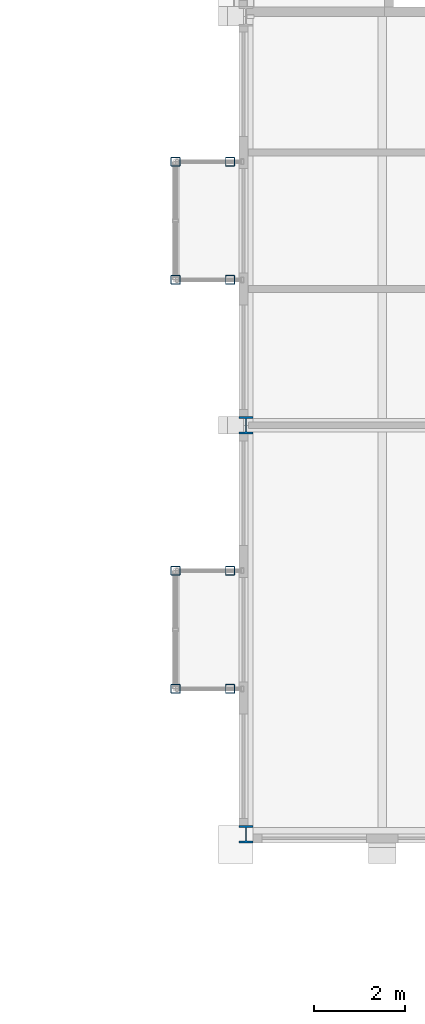
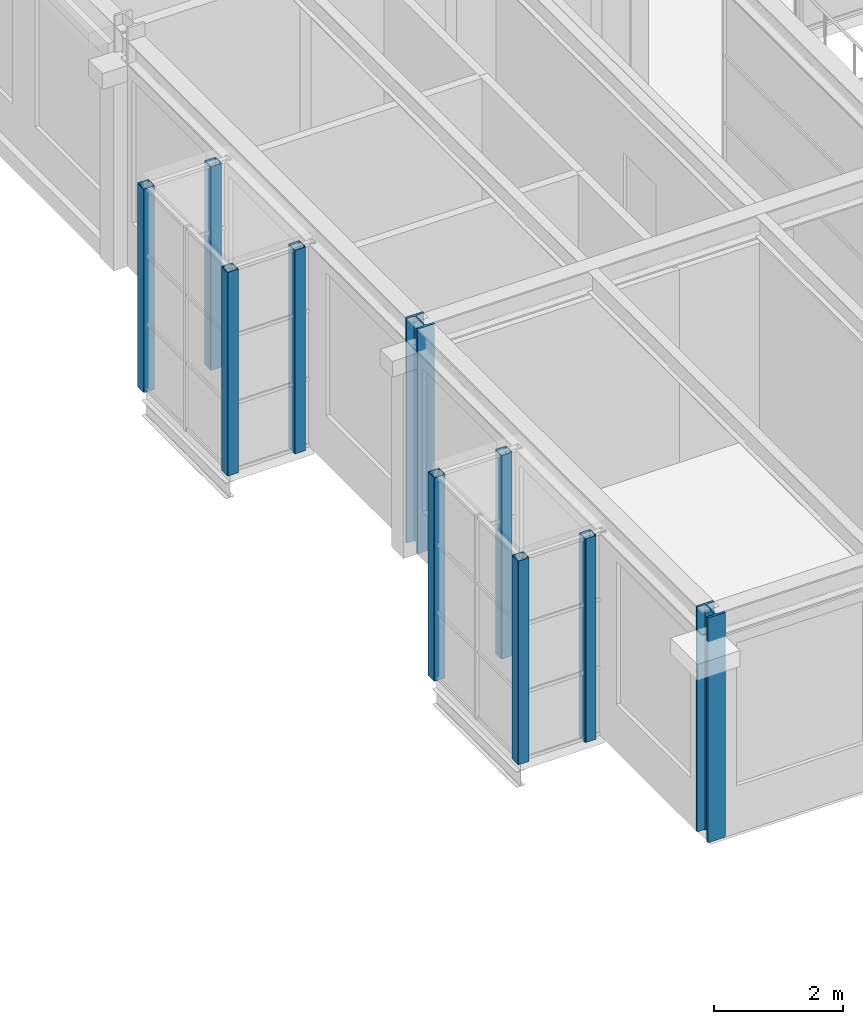
# One storey, part 2 of 111: 10 columns.
"""IFC4 building model written with IfcOpenShell, lengths in metres."""

from ifc_helpers import new_model, si_unit, direction, frame, origin, origin_2d, place, context, subcontext, project, spatial, hollow_rectangle, i_section, extrude, material, material_profile, profile_set, type_object, element, save


model = new_model("IFC4")

# Units and contexts
model_context = context("Model", 3, precision=1e-05, world=origin(), true_north=direction((0.0, 1.0)))
body_context = subcontext(model_context, "Body", "Model", "MODEL_VIEW")
ifc_project = project(units=[si_unit("LENGTHUNIT", "METRE"), si_unit("AREAUNIT", "SQUARE_METRE"), si_unit("VOLUMEUNIT", "CUBIC_METRE"), si_unit("PLANEANGLEUNIT", "RADIAN"), si_unit("MASSUNIT", "GRAM", prefix="KILO")], contexts=[model_context])

# Site, building, storey
site_placement = place(None, origin())
site = spatial("IfcSite", under=ifc_project, at=site_placement, CompositionType="ELEMENT")
building_placement = place(site_placement, origin())
building = spatial("IfcBuilding", under=site, at=building_placement, Name="Kallimachos Central Library", CompositionType="ELEMENT")
storey_placement = place(building_placement, frame((0.0, 0.0, 14.39990234375)))
storey = spatial("IfcBuildingStorey", under=building, at=storey_placement, Name="L03", CompositionType="ELEMENT", Elevation=14.39990234375)

# Columns
ifc_material_1 = material(Name="Steel S355J2", Category="steel")
ifc_material_profile_1 = material_profile(ifc_material_1, i_section(OverallWidth=0.30908203125, OverallDepth=0.376953125, WebThickness=0.02099609375, FlangeThickness=0.0400390625, FilletRadius=0.027099609375, at=origin_2d()), Name="HEM 340")
ifc_profile_set_1 = profile_set([ifc_material_profile_1], Name="Steel S355J2")
column_type_1 = type_object("IfcColumnType", Name="HEM 340 column", PredefinedType="COLUMN", material=ifc_profile_set_1)
for number, where, z_axis, x_axis, name in (
    (1, (65.5, 57.0, 0.0), (0.0, 0.0, 1.0), (1.0, 0.0, 0.0), "V4-COL-L03-001"),
    (2, (65.5, 66.0, 0.0), (0.0, 0.0, 1.0), (1.0, 0.0, 0.0), "V4-COL-L03-003"),
):
    element("IfcColumn", number, at=place(storey_placement, frame(where, z_axis=z_axis, x_axis=x_axis)), inside=storey, type_object=column_type_1, Name=name, PredefinedType="COLUMN", context=body_context, shape_type="SweptSolid", body=[
        extrude(i_section(OverallWidth=0.30908203125, OverallDepth=0.376953125, WebThickness=0.02099609375, FlangeThickness=0.0400390625, FilletRadius=0.027099609375, at=origin_2d()), origin(), (0.0, 0.0, 1.0), 4.25),
    ])
ifc_material_2 = material(Name="Steel S355J2H", Category="steel")
ifc_material_profile_2 = material_profile(ifc_material_2, hollow_rectangle(XDim=0.199951171875, YDim=0.199951171875, WallThickness=0.010009765625, InnerFilletRadius=0.010009765625, OuterFilletRadius=0.014892578125, at=origin_2d()), Name="SHS 200x200x10")
ifc_profile_set_2 = profile_set([ifc_material_profile_2], Name="Steel S355J2H")
column_type_2 = type_object("IfcColumnType", Name="SHS 200x200x10 column", PredefinedType="COLUMN", material=ifc_profile_set_2)
for number, where, z_axis, x_axis, name in (
    (3, (65.14990234375, 60.199951171875, 0.0), (0.0, 0.0, 1.0), (1.0, 0.0, 0.0), "Tribune bay W1 column 1"),
    (4, (65.14990234375, 62.800048828125, 0.0), (0.0, 0.0, 1.0), (1.0, 0.0, 0.0), "Tribune bay W1 column 2"),
    (5, (63.949951171875, 60.199951171875, 0.0), (0.0, 0.0, 1.0), (1.0, 0.0, 0.0), "Tribune bay W1 column 3"),
    (6, (63.949951171875, 62.800048828125, 0.0), (0.0, 0.0, 1.0), (1.0, 0.0, 0.0), "Tribune bay W1 column 4"),
    (7, (65.14990234375, 69.199951171875, 0.0), (0.0, 0.0, 1.0), (1.0, 0.0, 0.0), "Tribune bay W2 column 1"),
    (8, (65.14990234375, 71.800048828125, 0.0), (0.0, 0.0, 1.0), (1.0, 0.0, 0.0), "Tribune bay W2 column 2"),
    (9, (63.949951171875, 69.199951171875, 0.0), (0.0, 0.0, 1.0), (1.0, 0.0, 0.0), "Tribune bay W2 column 3"),
    (10, (63.949951171875, 71.800048828125, 0.0), (0.0, 0.0, 1.0), (1.0, 0.0, 0.0), "Tribune bay W2 column 4"),
):
    element("IfcColumn", number, at=place(storey_placement, frame(where, z_axis=z_axis, x_axis=x_axis)), inside=storey, type_object=column_type_2, Name=name, PredefinedType="COLUMN", context=body_context, shape_type="SweptSolid", body=[
        extrude(hollow_rectangle(XDim=0.199951171875, YDim=0.199951171875, WallThickness=0.010009765625, InnerFilletRadius=0.010009765625, OuterFilletRadius=0.014892578125, at=origin_2d()), origin(), (0.0, 0.0, 1.0), 3.85009765625),
    ])

save(model, "model.ifc")
